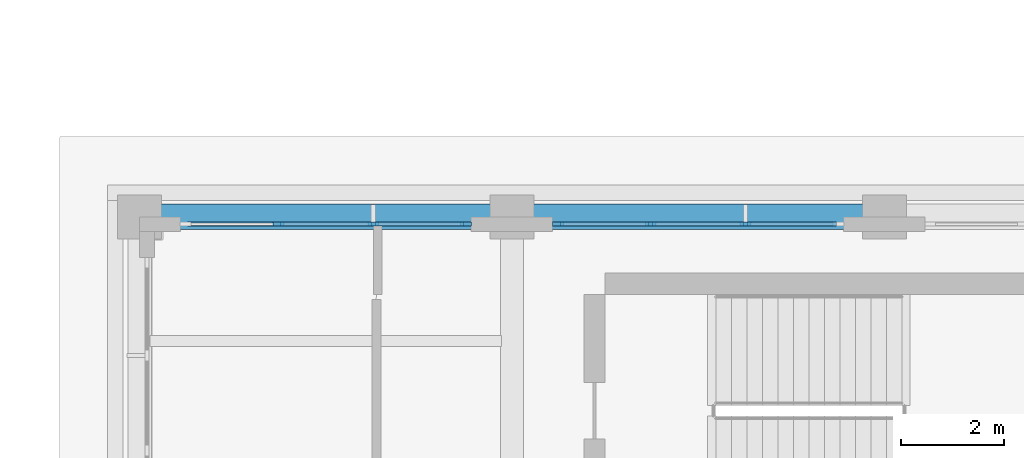
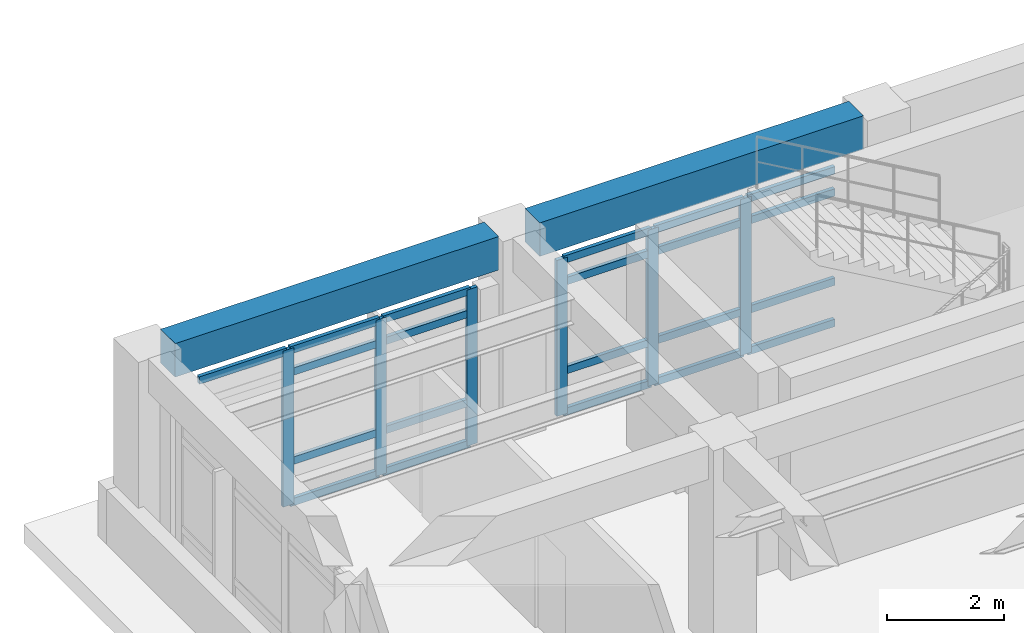
# One storey, part 46 of 98: 27 members, 2 beams, 2 elements without a shape of their own.
"""IFC4 building model written with IfcOpenShell, lengths in metres."""

from ifc_helpers import new_model, si_unit, direction, frame, origin, origin_2d, place, context, subcontext, project, spatial, rectangle, extrude, material, layer, layer_set, material_profile, profile_set, type_object, element, aggregate, save


model = new_model("IFC4")

# Units and contexts
model_context = context("Model", 3, precision=1e-05, world=origin(), true_north=direction((0.0, 1.0)))
body_context = subcontext(model_context, "Body", "Model", "MODEL_VIEW")
ifc_project = project(units=[si_unit("LENGTHUNIT", "METRE"), si_unit("AREAUNIT", "SQUARE_METRE"), si_unit("VOLUMEUNIT", "CUBIC_METRE"), si_unit("PLANEANGLEUNIT", "RADIAN"), si_unit("MASSUNIT", "GRAM", prefix="KILO")], contexts=[model_context])

# Site, building, storey
site_placement = place(None, origin())
site = spatial("IfcSite", under=ifc_project, at=site_placement, CompositionType="ELEMENT")
building_placement = place(site_placement, origin())
building = spatial("IfcBuilding", under=site, at=building_placement, Name="Solenvale Faculty of Natural Sciences", CompositionType="ELEMENT")
storey_placement = place(building_placement, frame((0.0, 0.0, 9.0)))
storey = spatial("IfcBuildingStorey", under=building, at=storey_placement, Name="L02", CompositionType="ELEMENT", Elevation=9.0)

# Beams
ifc_material_1 = material(Name="Concrete 40 MPa", Category="concrete")
ifc_material_profile_1 = material_profile(ifc_material_1, rectangle(XDim=0.5, YDim=0.699951171875, at=origin_2d()), Name="RC-BM-500x700")
ifc_profile_set_1 = profile_set([ifc_material_profile_1], Name="Concrete 40 MPa")
beam_type = type_object("IfcBeamType", Name="BM-RC-500x700", PredefinedType="BEAM", material=ifc_profile_set_1)
for number, where, z_axis, x_axis, name in (
    (1, (115.60498046875, 57.60009765625, 3.8701171875), (1.0, 0.0, 0.0), (0.0, 1.0, 0.0), "L02 X-Girder Y57.6 (115.2..122.4)"),
    (2, (122.804931640625, 57.60009765625, 3.8701171875), (1.0, 0.0, 0.0), (0.0, 1.0, 0.0), "L02 X-Girder Y57.6 (122.4..129.6)"),
):
    element("IfcBeam", number, at=place(storey_placement, frame(where, z_axis=z_axis, x_axis=x_axis)), inside=storey, type_object=beam_type, Name=name, PredefinedType="BEAM", context=body_context, shape_type="SweptSolid", body=[
        extrude(rectangle(XDim=0.5, YDim=0.699951171875, at=origin_2d()), origin(), (0.0, 0.0, 1.0), 6.39013671875),
    ])

# Curtain wall, members
ifc_material_2 = material(Name="Anodised bronze aluminium", Category="aluminium")
ifc_layer = layer(ifc_material_2, 0.199951171875)
ifc_layer_set = layer_set([ifc_layer], Name="Anodised bronze aluminium")
curtain_wall_type = type_object("IfcCurtainWallType", Name="CW-COM-FIN", PredefinedType="USERDEFINED", material=ifc_layer_set)
curtain_wall_1_placement = place(storey_placement, origin())
curtain_wall_1 = element("IfcCurtainWall", 3, at=curtain_wall_1_placement, inside=storey, type_object=curtain_wall_type, Name="L02 Curtain Wall CW-L02-P1-E4-B6", ObjectType="UNITISED CURTAIN WALL", PredefinedType="USERDEFINED")
ifc_material_profile_2 = material_profile(ifc_material_2, rectangle(XDim=0.074951171875, YDim=0.2099609375, at=origin_2d()), Name="ALU-MUL-75x210")
ifc_profile_set_2 = profile_set([ifc_material_profile_2], Name="Anodised bronze aluminium")
member_type_1 = type_object("IfcMemberType", Name="CWM-ALU-75x210", PredefinedType="MULLION", material=ifc_profile_set_2)
member_1_placement = place(storey_placement, frame((126.916748046875, 57.45751953125, 0.0), z_axis=(0.0, 0.0, 1.0), x_axis=(0.0, -1.0, 0.0)))
member_1 = element("IfcMember", 4, at=member_1_placement, type_object=member_type_1, Name="CW-03 mullion 2", PredefinedType="MULLION", context=body_context, shape_type="SweptSolid", body=[
    extrude(rectangle(XDim=0.074951171875, YDim=0.2099609375, at=origin_2d()), origin(), (0.0, 0.0, 1.0), 3.260009765625),
])
member_2_placement = place(storey_placement, frame((125.083251953125, 57.45751953125, 0.0), z_axis=(0.0, 0.0, 1.0), x_axis=(0.0, -1.0, 0.0)))
member_2 = element("IfcMember", 5, at=member_2_placement, type_object=member_type_1, Name="CW-03 mullion 3", PredefinedType="MULLION", context=body_context, shape_type="SweptSolid", body=[
    extrude(rectangle(XDim=0.074951171875, YDim=0.2099609375, at=origin_2d()), origin(), (0.0, 0.0, 1.0), 3.260009765625),
])
member_3_placement = place(storey_placement, frame((123.28759765625, 57.45751953125, 0.0), z_axis=(0.0, 0.0, 1.0), x_axis=(0.0, -1.0, 0.0)))
member_3 = element("IfcMember", 6, at=member_3_placement, type_object=member_type_1, Name="CW-03 mullion 4", PredefinedType="MULLION", context=body_context, shape_type="SweptSolid", body=[
    extrude(rectangle(XDim=0.074951171875, YDim=0.2099609375, at=origin_2d()), origin(), (0.0, 0.0, 1.0), 3.260009765625),
])

curtain_wall_2_placement = place(storey_placement, origin())
curtain_wall_2 = element("IfcCurtainWall", 7, at=curtain_wall_2_placement, inside=storey, type_object=curtain_wall_type, Name="L02 Curtain Wall CW-L02-P1-E4-B7", ObjectType="UNITISED CURTAIN WALL", PredefinedType="USERDEFINED")
member_4_placement = place(storey_placement, frame((121.512451171875, 57.45751953125, 0.0), z_axis=(0.0, 0.0, 1.0), x_axis=(0.0, -1.0, 0.0)))
member_4 = element("IfcMember", 8, at=member_4_placement, type_object=member_type_1, Name="CW-03 mullion 1", PredefinedType="MULLION", context=body_context, shape_type="SweptSolid", body=[
    extrude(rectangle(XDim=0.074951171875, YDim=0.2099609375, at=origin_2d()), origin(), (0.0, 0.0, 1.0), 3.260009765625),
])
member_5_placement = place(storey_placement, frame((119.716552734375, 57.45751953125, 0.0), z_axis=(0.0, 0.0, 1.0), x_axis=(0.0, -1.0, 0.0)))
member_5 = element("IfcMember", 9, at=member_5_placement, type_object=member_type_1, Name="CW-03 mullion 2", PredefinedType="MULLION", context=body_context, shape_type="SweptSolid", body=[
    extrude(rectangle(XDim=0.074951171875, YDim=0.2099609375, at=origin_2d()), origin(), (0.0, 0.0, 1.0), 3.260009765625),
])
member_6_placement = place(storey_placement, frame((117.88330078125, 57.45751953125, 0.0), z_axis=(0.0, 0.0, 1.0), x_axis=(0.0, -1.0, 0.0)))
member_6 = element("IfcMember", 10, at=member_6_placement, type_object=member_type_1, Name="CW-03 mullion 3", PredefinedType="MULLION", context=body_context, shape_type="SweptSolid", body=[
    extrude(rectangle(XDim=0.074951171875, YDim=0.2099609375, at=origin_2d()), origin(), (0.0, 0.0, 1.0), 3.260009765625),
])

# Member
ifc_material_profile_3 = material_profile(ifc_material_2, rectangle(XDim=0.074951171875, YDim=0.155029296875, at=origin_2d()), Name="ALU-TRN-75x155")
ifc_profile_set_3 = profile_set([ifc_material_profile_3], Name="Anodised bronze aluminium")
member_type_2 = type_object("IfcMemberType", Name="CWT-ALU-75x155", PredefinedType="USERDEFINED", material=ifc_profile_set_3)
member_7_placement = place(storey_placement, frame((128.675048828125, 57.45751953125, 0.03759765625), z_axis=(-1.0, 0.0, 0.0), x_axis=(0.0, -1.0, 0.0)))
member_7 = element("IfcMember", 11, at=member_7_placement, type_object=member_type_2, Name="CW-03 transom 1.1", ObjectType="TRANSOM", PredefinedType="USERDEFINED", context=body_context, shape_type="SweptSolid", body=[
    extrude(rectangle(XDim=0.074951171875, YDim=0.155029296875, at=origin_2d()), origin(), (0.0, 0.0, 1.0), 1.720947265625),
])

member_8_placement = place(storey_placement, frame((128.675048828125, 57.45751953125, 0.89990234375), z_axis=(-1.0, 0.0, 0.0), x_axis=(0.0, -1.0, 0.0)))
member_8 = element("IfcMember", 12, at=member_8_placement, type_object=member_type_2, Name="CW-03 transom 1.2", ObjectType="TRANSOM", PredefinedType="USERDEFINED", context=body_context, shape_type="SweptSolid", body=[
    extrude(rectangle(XDim=0.074951171875, YDim=0.155029296875, at=origin_2d()), origin(), (0.0, 0.0, 1.0), 1.720947265625),
])

member_9_placement = place(storey_placement, frame((128.675048828125, 57.45751953125, 2.760009765625), z_axis=(-1.0, 0.0, 0.0), x_axis=(0.0, -1.0, 0.0)))
member_9 = element("IfcMember", 13, at=member_9_placement, type_object=member_type_2, Name="CW-03 transom 1.3", ObjectType="TRANSOM", PredefinedType="USERDEFINED", context=body_context, shape_type="SweptSolid", body=[
    extrude(rectangle(XDim=0.074951171875, YDim=0.155029296875, at=origin_2d()), origin(), (0.0, 0.0, 1.0), 1.720947265625),
])

member_10_placement = place(storey_placement, frame((128.675048828125, 57.45751953125, 3.222412109375), z_axis=(-1.0, 0.0, 0.0), x_axis=(0.0, -1.0, 0.0)))
member_10 = element("IfcMember", 14, at=member_10_placement, type_object=member_type_2, Name="CW-03 transom 1.4", ObjectType="TRANSOM", PredefinedType="USERDEFINED", context=body_context, shape_type="SweptSolid", body=[
    extrude(rectangle(XDim=0.074951171875, YDim=0.155029296875, at=origin_2d()), origin(), (0.0, 0.0, 1.0), 1.720947265625),
])

member_11_placement = place(storey_placement, frame((126.879150390625, 57.45751953125, 0.03759765625), z_axis=(-1.0, 0.0, 0.0), x_axis=(0.0, -1.0, 0.0)))
member_11 = element("IfcMember", 15, at=member_11_placement, type_object=member_type_2, Name="CW-03 transom 2.1", ObjectType="TRANSOM", PredefinedType="USERDEFINED", context=body_context, shape_type="SweptSolid", body=[
    extrude(rectangle(XDim=0.074951171875, YDim=0.155029296875, at=origin_2d()), origin(), (0.0, 0.0, 1.0), 1.75830078125),
])

member_12_placement = place(storey_placement, frame((126.879150390625, 57.45751953125, 0.89990234375), z_axis=(-1.0, 0.0, 0.0), x_axis=(0.0, -1.0, 0.0)))
member_12 = element("IfcMember", 16, at=member_12_placement, type_object=member_type_2, Name="CW-03 transom 2.2", ObjectType="TRANSOM", PredefinedType="USERDEFINED", context=body_context, shape_type="SweptSolid", body=[
    extrude(rectangle(XDim=0.074951171875, YDim=0.155029296875, at=origin_2d()), origin(), (0.0, 0.0, 1.0), 1.75830078125),
])

member_13_placement = place(storey_placement, frame((126.879150390625, 57.45751953125, 2.760009765625), z_axis=(-1.0, 0.0, 0.0), x_axis=(0.0, -1.0, 0.0)))
member_13 = element("IfcMember", 17, at=member_13_placement, type_object=member_type_2, Name="CW-03 transom 2.3", ObjectType="TRANSOM", PredefinedType="USERDEFINED", context=body_context, shape_type="SweptSolid", body=[
    extrude(rectangle(XDim=0.074951171875, YDim=0.155029296875, at=origin_2d()), origin(), (0.0, 0.0, 1.0), 1.75830078125),
])

member_14_placement = place(storey_placement, frame((126.879150390625, 57.45751953125, 3.222412109375), z_axis=(-1.0, 0.0, 0.0), x_axis=(0.0, -1.0, 0.0)))
member_14 = element("IfcMember", 18, at=member_14_placement, type_object=member_type_2, Name="CW-03 transom 2.4", ObjectType="TRANSOM", PredefinedType="USERDEFINED", context=body_context, shape_type="SweptSolid", body=[
    extrude(rectangle(XDim=0.074951171875, YDim=0.155029296875, at=origin_2d()), origin(), (0.0, 0.0, 1.0), 1.75830078125),
])

member_15_placement = place(storey_placement, frame((125.0458984375, 57.45751953125, 0.03759765625), z_axis=(-1.0, 0.0, 0.0), x_axis=(0.0, -1.0, 0.0)))
member_15 = element("IfcMember", 19, at=member_15_placement, type_object=member_type_2, Name="CW-03 transom 3.1", ObjectType="TRANSOM", PredefinedType="USERDEFINED", context=body_context, shape_type="SweptSolid", body=[
    extrude(rectangle(XDim=0.074951171875, YDim=0.155029296875, at=origin_2d()), origin(), (0.0, 0.0, 1.0), 1.720947265625),
])

member_16_placement = place(storey_placement, frame((125.0458984375, 57.45751953125, 0.89990234375), z_axis=(-1.0, 0.0, 0.0), x_axis=(0.0, -1.0, 0.0)))
member_16 = element("IfcMember", 20, at=member_16_placement, type_object=member_type_2, Name="CW-03 transom 3.2", ObjectType="TRANSOM", PredefinedType="USERDEFINED", context=body_context, shape_type="SweptSolid", body=[
    extrude(rectangle(XDim=0.074951171875, YDim=0.155029296875, at=origin_2d()), origin(), (0.0, 0.0, 1.0), 1.720947265625),
])

member_17_placement = place(storey_placement, frame((125.0458984375, 57.45751953125, 2.760009765625), z_axis=(-1.0, 0.0, 0.0), x_axis=(0.0, -1.0, 0.0)))
member_17 = element("IfcMember", 21, at=member_17_placement, type_object=member_type_2, Name="CW-03 transom 3.3", ObjectType="TRANSOM", PredefinedType="USERDEFINED", context=body_context, shape_type="SweptSolid", body=[
    extrude(rectangle(XDim=0.074951171875, YDim=0.155029296875, at=origin_2d()), origin(), (0.0, 0.0, 1.0), 1.720947265625),
])

member_18_placement = place(storey_placement, frame((125.0458984375, 57.45751953125, 3.222412109375), z_axis=(-1.0, 0.0, 0.0), x_axis=(0.0, -1.0, 0.0)))
member_18 = element("IfcMember", 22, at=member_18_placement, type_object=member_type_2, Name="CW-03 transom 3.4", ObjectType="TRANSOM", PredefinedType="USERDEFINED", context=body_context, shape_type="SweptSolid", body=[
    extrude(rectangle(XDim=0.074951171875, YDim=0.155029296875, at=origin_2d()), origin(), (0.0, 0.0, 1.0), 1.720947265625),
])

aggregate(curtain_wall_1, [member_1, member_2, member_3, member_7, member_8, member_9, member_10, member_11, member_12, member_13, member_14, member_15, member_16, member_17, member_18])

member_19_placement = place(storey_placement, frame((121.47509765625, 57.45751953125, 0.03759765625), z_axis=(-1.0, 0.0, 0.0), x_axis=(0.0, -1.0, 0.0)))
member_19 = element("IfcMember", 23, at=member_19_placement, type_object=member_type_2, Name="CW-03 transom 1.1", ObjectType="TRANSOM", PredefinedType="USERDEFINED", context=body_context, shape_type="SweptSolid", body=[
    extrude(rectangle(XDim=0.074951171875, YDim=0.155029296875, at=origin_2d()), origin(), (0.0, 0.0, 1.0), 1.720947265625),
])

member_20_placement = place(storey_placement, frame((121.47509765625, 57.45751953125, 0.89990234375), z_axis=(-1.0, 0.0, 0.0), x_axis=(0.0, -1.0, 0.0)))
member_20 = element("IfcMember", 24, at=member_20_placement, type_object=member_type_2, Name="CW-03 transom 1.2", ObjectType="TRANSOM", PredefinedType="USERDEFINED", context=body_context, shape_type="SweptSolid", body=[
    extrude(rectangle(XDim=0.074951171875, YDim=0.155029296875, at=origin_2d()), origin(), (0.0, 0.0, 1.0), 1.720947265625),
])

member_21_placement = place(storey_placement, frame((121.47509765625, 57.45751953125, 2.760009765625), z_axis=(-1.0, 0.0, 0.0), x_axis=(0.0, -1.0, 0.0)))
member_21 = element("IfcMember", 25, at=member_21_placement, type_object=member_type_2, Name="CW-03 transom 1.3", ObjectType="TRANSOM", PredefinedType="USERDEFINED", context=body_context, shape_type="SweptSolid", body=[
    extrude(rectangle(XDim=0.074951171875, YDim=0.155029296875, at=origin_2d()), origin(), (0.0, 0.0, 1.0), 1.720947265625),
])

member_22_placement = place(storey_placement, frame((121.47509765625, 57.45751953125, 3.222412109375), z_axis=(-1.0, 0.0, 0.0), x_axis=(0.0, -1.0, 0.0)))
member_22 = element("IfcMember", 26, at=member_22_placement, type_object=member_type_2, Name="CW-03 transom 1.4", ObjectType="TRANSOM", PredefinedType="USERDEFINED", context=body_context, shape_type="SweptSolid", body=[
    extrude(rectangle(XDim=0.074951171875, YDim=0.155029296875, at=origin_2d()), origin(), (0.0, 0.0, 1.0), 1.720947265625),
])

member_23_placement = place(storey_placement, frame((119.67919921875, 57.45751953125, 0.03759765625), z_axis=(-1.0, 0.0, 0.0), x_axis=(0.0, -1.0, 0.0)))
member_23 = element("IfcMember", 27, at=member_23_placement, type_object=member_type_2, Name="CW-03 transom 2.1", ObjectType="TRANSOM", PredefinedType="USERDEFINED", context=body_context, shape_type="SweptSolid", body=[
    extrude(rectangle(XDim=0.074951171875, YDim=0.155029296875, at=origin_2d()), origin(), (0.0, 0.0, 1.0), 1.75830078125),
])

member_24_placement = place(storey_placement, frame((119.67919921875, 57.45751953125, 0.89990234375), z_axis=(-1.0, 0.0, 0.0), x_axis=(0.0, -1.0, 0.0)))
member_24 = element("IfcMember", 28, at=member_24_placement, type_object=member_type_2, Name="CW-03 transom 2.2", ObjectType="TRANSOM", PredefinedType="USERDEFINED", context=body_context, shape_type="SweptSolid", body=[
    extrude(rectangle(XDim=0.074951171875, YDim=0.155029296875, at=origin_2d()), origin(), (0.0, 0.0, 1.0), 1.75830078125),
])

member_25_placement = place(storey_placement, frame((119.67919921875, 57.45751953125, 2.760009765625), z_axis=(-1.0, 0.0, 0.0), x_axis=(0.0, -1.0, 0.0)))
member_25 = element("IfcMember", 29, at=member_25_placement, type_object=member_type_2, Name="CW-03 transom 2.3", ObjectType="TRANSOM", PredefinedType="USERDEFINED", context=body_context, shape_type="SweptSolid", body=[
    extrude(rectangle(XDim=0.074951171875, YDim=0.155029296875, at=origin_2d()), origin(), (0.0, 0.0, 1.0), 1.75830078125),
])

member_26_placement = place(storey_placement, frame((119.67919921875, 57.45751953125, 3.222412109375), z_axis=(-1.0, 0.0, 0.0), x_axis=(0.0, -1.0, 0.0)))
member_26 = element("IfcMember", 30, at=member_26_placement, type_object=member_type_2, Name="CW-03 transom 2.4", ObjectType="TRANSOM", PredefinedType="USERDEFINED", context=body_context, shape_type="SweptSolid", body=[
    extrude(rectangle(XDim=0.074951171875, YDim=0.155029296875, at=origin_2d()), origin(), (0.0, 0.0, 1.0), 1.75830078125),
])

member_27_placement = place(storey_placement, frame((117.845947265625, 57.45751953125, 3.222412109375), z_axis=(-1.0, 0.0, 0.0), x_axis=(0.0, -1.0, 0.0)))
member_27 = element("IfcMember", 31, at=member_27_placement, type_object=member_type_2, Name="CW-03 transom 3.4", ObjectType="TRANSOM", PredefinedType="USERDEFINED", context=body_context, shape_type="SweptSolid", body=[
    extrude(rectangle(XDim=0.074951171875, YDim=0.155029296875, at=origin_2d()), origin(), (0.0, 0.0, 1.0), 1.720947265625),
])

aggregate(curtain_wall_2, [member_4, member_5, member_6, member_19, member_20, member_21, member_22, member_23, member_24, member_25, member_26, member_27])

save(model, "model.ifc")
